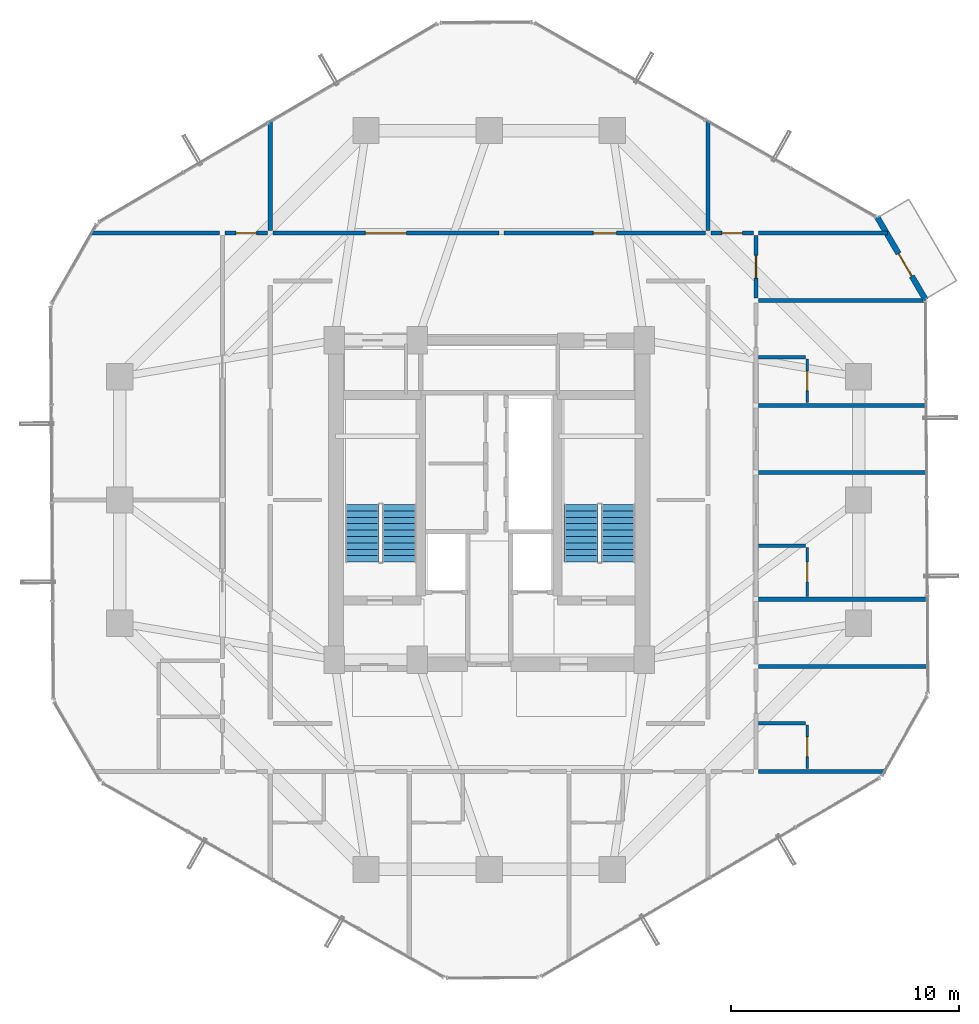
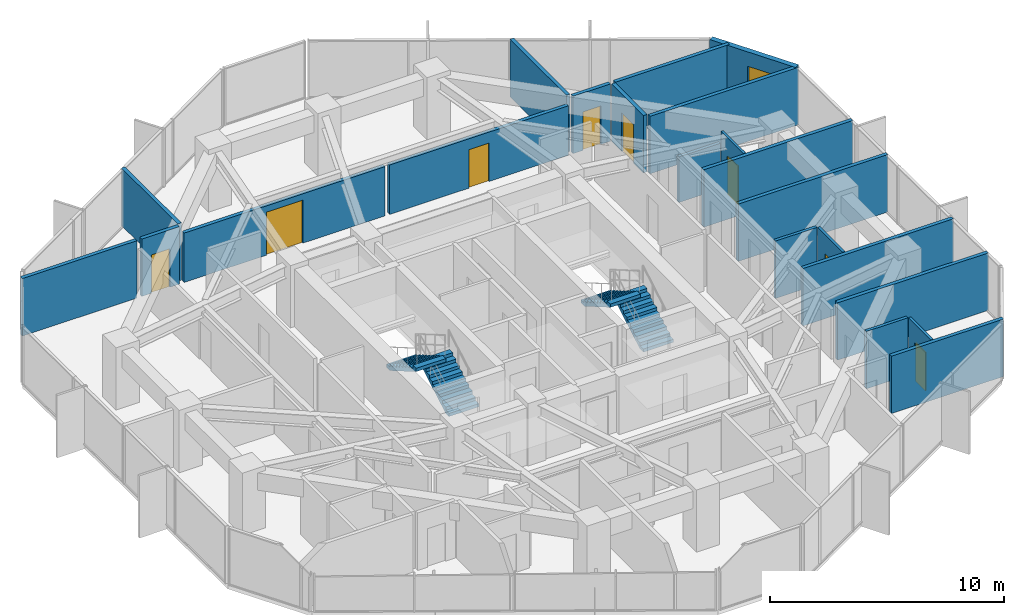
# One storey, part 28 of 30: 22 walls, 9 doors, 4 stair flights, 9 openings, 2 elements without a shape of their own.
"""IFC4 building model written with IfcOpenShell, lengths in metres."""

from ifc_helpers import new_model, si_unit, direction, frame, frame_2d, origin, place, context, subcontext, project, spatial, polyline, rectangle, outline, extrude, source, transform, mapped, material, layer, layer_set, type_object, element, fill, aggregate, save


model = new_model("IFC4")

# Units and contexts
model_context = context("Model", 3, precision=1e-05, world=origin(), true_north=direction((0.0, 1.0)))
body_context = subcontext(model_context, "Body", "Model", "MODEL_VIEW")
ifc_project = project(units=[si_unit("LENGTHUNIT", "METRE"), si_unit("AREAUNIT", "SQUARE_METRE"), si_unit("VOLUMEUNIT", "CUBIC_METRE"), si_unit("PLANEANGLEUNIT", "RADIAN"), si_unit("MASSUNIT", "GRAM", prefix="KILO")], contexts=[model_context])

# Site, building, storey
site_placement = place(None, origin())
site = spatial("IfcSite", under=ifc_project, at=site_placement, CompositionType="ELEMENT")
building_placement = place(site_placement, origin())
building = spatial("IfcBuilding", under=site, at=building_placement, Name="Veraguas Prism Commons", CompositionType="ELEMENT")
storey_placement = place(building_placement, frame((0.0, 0.0, 129.5)))
storey = spatial("IfcBuildingStorey", under=building, at=storey_placement, Name="L36", CompositionType="ELEMENT", Elevation=129.5)

# Walls
ifc_material_1 = material(Name="Autoclaved aerated masonry block 10 MPa", Category="masonry")
ifc_layer_1 = layer(ifc_material_1, 0.179931640625, Name="Corridor and Inter-Tenancy Partition 180", Category="masonry")
ifc_layer_set_1 = layer_set([ifc_layer_1], Name="Autoclaved aerated masonry block 10 MPa")
wall_type_1 = type_object("IfcWallType", Name="Corridor and Inter-Tenancy Partition 180", PredefinedType="PARTITIONING", material=ifc_layer_set_1)
for number, where, z_axis, x_axis, name in (
    (1, (14.39990234375, 35.820068359375, 0.0), (0.0, 0.0, 1.0), (0.0, 1.0, 0.0), "WL-L36-PT014"),
    (2, (33.60009765625, 35.820068359375, 0.0), (0.0, 0.0, 1.0), (0.0, 1.0, 0.0), "WL-L36-PT015"),
):
    element("IfcWall", number, at=place(storey_placement, frame(where, z_axis=z_axis, x_axis=x_axis)), inside=storey, type_object=wall_type_1, Name=name, PredefinedType="PARTITIONING", context=body_context, shape_type="SweptSolid", body=[
        extrude(rectangle(XDim=4.822509765625, YDim=0.179931640625, at=frame_2d((2.4111328125, 0.0))), origin(), (0.0, 0.0, 1.0), 3.0),
    ])

# Wall, opening, door
wall_1_placement = place(storey_placement, frame((14.510009765625, 35.699951171875, 0.0), z_axis=(0.0, 0.0, 1.0), x_axis=(1.0, 0.0, 0.0)))
wall_1 = element("IfcWall", 3, at=wall_1_placement, inside=storey, type_object=wall_type_1, Name="WL-L36-PT016", PredefinedType="PARTITIONING", context=body_context, shape_type="SweptSolid", body=[
    extrude(rectangle(XDim=9.924072265625, YDim=0.179931640625, at=frame_2d((4.9619140625, 0.0))), origin(), (0.0, 0.0, 1.0), 2.580078125),
])
opening_1_placement = place(wall_1_placement, frame((4.06201171875, 0.0, 0.0)))
opening_1 = element("IfcOpeningElement", 4, at=opening_1_placement, cuts=wall_1, Name="Opening DR-07", PredefinedType="OPENING", context=body_context, shape_type="SweptSolid", body=[
    extrude(rectangle(XDim=1.800048828125, YDim=2.25, at=frame_2d((0.89990234375, 1.125))), frame((0.0, 0.099853515625, 0.0), z_axis=(0.0, -1.0, 0.0), x_axis=(1.0, 0.0, 0.0)), (0.0, 0.0, 1.0), 0.199951171875),
])
ifc_material_2 = material(Name="Steel fire-rated door assembly", Category="steel")
door_type_1 = type_object("IfcDoorType", Name="Corridor Double Fire Door 1800x2250", OperationType="NOTDEFINED", PredefinedType="DOOR", material=ifc_material_2)
shared_shape_1 = source(origin(), body_context, "Body", "SweptSolid", [
    extrude(rectangle(XDim=1.800048828125, YDim=2.25, at=frame_2d((0.89990234375, 1.125))), frame((0.0, 0.02490234375, 0.0), z_axis=(0.0, -1.0, 0.0), x_axis=(1.0, 0.0, 0.0)), (0.0, 0.0, 1.0), 0.050048828125),
])
door_1_placement = place(opening_1_placement, origin())
door_1 = element("IfcDoor", 5, at=door_1_placement, inside=storey, type_object=door_type_1, Name="Residents Co-op Library and Reading Hall Door 1", OperationType="SINGLE_SWING_LEFT", OverallHeight=2.25, OverallWidth=1.800048828125, PredefinedType="DOOR", context=body_context, shape_type="MappedRepresentation", body=[
    mapped(shared_shape_1, transform((0.0, 0.0, 0.0), scale=1.0)),
])
fill(opening_1, door_1)

wall_2_placement = place(storey_placement, frame((24.654052734375, 35.699951171875, 0.0), z_axis=(0.0, 0.0, 1.0), x_axis=(1.0, 0.0, 0.0)))
wall_2 = element("IfcWall", 6, at=wall_2_placement, inside=storey, type_object=wall_type_1, Name="WL-L36-PT017", PredefinedType="PARTITIONING", context=body_context, shape_type="SweptSolid", body=[
    extrude(rectangle(XDim=8.8359375, YDim=0.179931640625, at=frame_2d((4.41796875, 0.0))), origin(), (0.0, 0.0, 1.0), 2.580078125),
])
opening_2_placement = place(wall_2_placement, frame((3.91796875, 0.0, 0.0)))
opening_2 = element("IfcOpeningElement", 7, at=opening_2_placement, cuts=wall_2, Name="Opening DR-13", PredefinedType="OPENING", context=body_context, shape_type="SweptSolid", body=[
    extrude(rectangle(XDim=1.0, YDim=2.010009765625, at=frame_2d((0.5, 1.0048828125))), frame((0.0, 0.099853515625, 0.0), z_axis=(0.0, -1.0, 0.0), x_axis=(1.0, 0.0, 0.0)), (0.0, 0.0, 1.0), 0.199951171875),
])
door_type_2 = type_object("IfcDoorType", Name="Core Accessible WC and Clinic Fire Door 1000x2010", OperationType="NOTDEFINED", PredefinedType="DOOR", material=ifc_material_2)
shared_shape_2 = source(origin(), body_context, "Body", "SweptSolid", [
    extrude(rectangle(XDim=1.0, YDim=2.010009765625, at=frame_2d((0.5, 1.0048828125))), frame((0.0, 0.02490234375, 0.0), z_axis=(0.0, -1.0, 0.0), x_axis=(1.0, 0.0, 0.0)), (0.0, 0.0, 1.0), 0.050048828125),
])
door_2_placement = place(opening_2_placement, origin())
door_2 = element("IfcDoor", 8, at=door_2_placement, inside=storey, type_object=door_type_2, Name="Residents Co-op Library and Reading Hall Door 2", OperationType="SINGLE_SWING_RIGHT", OverallHeight=2.010009765625, OverallWidth=1.0, PredefinedType="DOOR", context=body_context, shape_type="MappedRepresentation", body=[
    mapped(shared_shape_2, transform((0.0, 0.0, 0.0), scale=1.0)),
])
fill(opening_2, door_2)

# Walls
wall_3_placement = place(storey_placement, frame((12.179931640625, 35.699951171875, 0.0), z_axis=(0.0, 0.0, 1.0), x_axis=(-1.0, 0.0, 0.0)))
element("IfcWall", 9, at=wall_3_placement, inside=storey, type_object=wall_type_1, Name="WL-L36-PT019", PredefinedType="PARTITIONING", context=body_context, shape_type="SweptSolid", body=[
    extrude(rectangle(XDim=5.6630859375, YDim=0.179931640625, at=frame_2d((2.83154296875, 0.0))), origin(), (0.0, 0.0, 1.0), 3.0),
])
wall_4_placement = place(storey_placement, frame((35.820068359375, 12.10009765625, 0.0), z_axis=(0.0, 0.0, 1.0), x_axis=(1.0, 0.0, 0.0)))
element("IfcWall", 10, at=wall_4_placement, inside=storey, type_object=wall_type_1, Name="WL-L36-PT029", PredefinedType="PARTITIONING", context=body_context, shape_type="SweptSolid", body=[
    extrude(rectangle(XDim=5.54931640625, YDim=0.179931640625, at=frame_2d((2.774658203125, 0.0))), origin(), (0.0, 0.0, 1.0), 3.0),
])
wall_5_placement = place(storey_placement, frame((35.820068359375, 35.699951171875, 0.0), z_axis=(0.0, 0.0, 1.0), x_axis=(1.0, 0.0, 0.0)))
element("IfcWall", 11, at=wall_5_placement, inside=storey, type_object=wall_type_1, Name="WL-L36-PT030", PredefinedType="PARTITIONING", context=body_context, shape_type="SweptSolid", body=[
    extrude(rectangle(XDim=5.6416015625, YDim=0.179931640625, at=frame_2d((2.82080078125, 0.0))), origin(), (0.0, 0.0, 1.0), 3.0),
])
wall_6_placement = place(storey_placement, frame((35.820068359375, 16.697998046875, 0.0), z_axis=(0.0, 0.0, 1.0), x_axis=(1.0, 0.0, 0.0)))
element("IfcWall", 12, at=wall_6_placement, inside=storey, type_object=wall_type_1, Name="WL-L36-PT032", PredefinedType="PARTITIONING", context=body_context, shape_type="SweptSolid", body=[
    extrude(rectangle(XDim=7.441162109375, YDim=0.179931640625, at=frame_2d((3.720703125, 0.0))), origin(), (0.0, 0.0, 1.0), 3.0),
])
wall_7_placement = place(storey_placement, frame((35.820068359375, 19.64794921875, 0.0), z_axis=(0.0, 0.0, 1.0), x_axis=(1.0, 0.0, 0.0)))
element("IfcWall", 13, at=wall_7_placement, inside=storey, type_object=wall_type_1, Name="WL-L36-PT036", PredefinedType="PARTITIONING", context=body_context, shape_type="SweptSolid", body=[
    extrude(rectangle(XDim=7.421630859375, YDim=0.179931640625, at=frame_2d((3.7109375, 0.0))), origin(), (0.0, 0.0, 1.0), 3.0),
])
wall_8_placement = place(storey_placement, frame((35.820068359375, 25.201904296875, 0.0), z_axis=(0.0, 0.0, 1.0), x_axis=(1.0, 0.0, 0.0)))
element("IfcWall", 14, at=wall_8_placement, inside=storey, type_object=wall_type_1, Name="WL-L36-PT038", PredefinedType="PARTITIONING", context=body_context, shape_type="SweptSolid", body=[
    extrude(rectangle(XDim=7.384765625, YDim=0.179931640625, at=frame_2d((3.6923828125, 0.0))), origin(), (0.0, 0.0, 1.0), 3.0),
])
wall_9_placement = place(storey_placement, frame((35.820068359375, 28.152099609375, 0.0), z_axis=(0.0, 0.0, 1.0), x_axis=(1.0, 0.0, 0.0)))
element("IfcWall", 15, at=wall_9_placement, inside=storey, type_object=wall_type_1, Name="WL-L36-PT042", PredefinedType="PARTITIONING", context=body_context, shape_type="SweptSolid", body=[
    extrude(rectangle(XDim=7.365234375, YDim=0.179931640625, at=frame_2d((3.6826171875, 0.0))), origin(), (0.0, 0.0, 1.0), 3.0),
])

# Wall, opening, door
wall_10_placement = place(storey_placement, frame((35.699951171875, 32.860107421875, 0.0), z_axis=(0.0, 0.0, 1.0), x_axis=(0.0, 1.0, 0.0)))
wall_10 = element("IfcWall", 16, at=wall_10_placement, inside=storey, type_object=wall_type_1, Name="WL-L36-PT043", PredefinedType="PARTITIONING", context=body_context, shape_type="SweptSolid", body=[
    extrude(rectangle(XDim=2.72998046875, YDim=0.179931640625, at=frame_2d((1.364990234375, 0.0))), origin(), (0.0, 0.0, 1.0), 3.0),
])
opening_3_placement = place(wall_10_placement, frame((0.864990234375, 0.0, 0.0)))
opening_3 = element("IfcOpeningElement", 17, at=opening_3_placement, cuts=wall_10, Name="Opening DR-13", PredefinedType="OPENING", context=body_context, shape_type="SweptSolid", body=[
    extrude(rectangle(XDim=1.0, YDim=2.010009765625, at=frame_2d((0.5, 1.0048828125))), frame((0.0, 0.099853515625, 0.0), z_axis=(0.0, -1.0, 0.0), x_axis=(1.0, 0.0, 0.0)), (0.0, 0.0, 1.0), 0.199951171875),
])
door_3_placement = place(opening_3_placement, origin())
door_3 = element("IfcDoor", 18, at=door_3_placement, inside=storey, type_object=door_type_2, Name="Quiet Study E Door", OperationType="SINGLE_SWING_LEFT", OverallHeight=2.010009765625, OverallWidth=1.0, PredefinedType="DOOR", context=body_context, shape_type="MappedRepresentation", body=[
    mapped(shared_shape_2, transform((0.0, 0.0, 0.0), scale=1.0)),
])
fill(opening_3, door_3)

# Wall
wall_11_placement = place(storey_placement, frame((35.820068359375, 32.75, 0.0), z_axis=(0.0, 0.0, 1.0), x_axis=(1.0, 0.0, 0.0)))
element("IfcWall", 19, at=wall_11_placement, inside=storey, type_object=wall_type_1, Name="WL-L36-PT044", PredefinedType="PARTITIONING", context=body_context, shape_type="SweptSolid", body=[
    extrude(rectangle(XDim=7.334716796875, YDim=0.179931640625, at=frame_2d((3.66748046875, 0.0))), origin(), (0.0, 0.0, 1.0), 3.0),
])

# Wall, opening, door
wall_12_placement = place(storey_placement, frame((12.419921875, 35.699951171875, 0.0), z_axis=(0.0, 0.0, 1.0), x_axis=(1.0, 0.0, 0.0)))
wall_12 = element("IfcWall", 20, at=wall_12_placement, inside=storey, type_object=wall_type_1, Name="WL-L36-PT050", PredefinedType="PARTITIONING", context=body_context, shape_type="SweptSolid", body=[
    extrude(rectangle(XDim=1.860107421875, YDim=0.179931640625, at=frame_2d((0.93017578125, 0.0))), origin(), (0.0, 0.0, 1.0), 3.0),
])
opening_4_placement = place(wall_12_placement, frame((0.47998046875, 0.0, 0.0)))
opening_4 = element("IfcOpeningElement", 21, at=opening_4_placement, cuts=wall_12, Name="Opening DR-14", PredefinedType="OPENING", context=body_context, shape_type="SweptSolid", body=[
    extrude(rectangle(XDim=0.89990234375, YDim=2.010009765625, at=frame_2d((0.449951171875, 1.0048828125))), frame((0.0, 0.099853515625, 0.0), z_axis=(0.0, -1.0, 0.0), x_axis=(1.0, 0.0, 0.0)), (0.0, 0.0, 1.0), 0.199951171875),
])
door_type_3 = type_object("IfcDoorType", Name="Core Service Room Fire Door 900x2010", OperationType="NOTDEFINED", PredefinedType="DOOR", material=ifc_material_2)
shared_shape_3 = source(origin(), body_context, "Body", "SweptSolid", [
    extrude(rectangle(XDim=0.89990234375, YDim=2.010009765625, at=frame_2d((0.449951171875, 1.0048828125))), frame((0.0, 0.02490234375, 0.0), z_axis=(0.0, -1.0, 0.0), x_axis=(1.0, 0.0, 0.0)), (0.0, 0.0, 1.0), 0.050048828125),
])
door_4_placement = place(opening_4_placement, origin())
door_4 = element("IfcDoor", 22, at=door_4_placement, inside=storey, type_object=door_type_3, Name="Residents Cycle and Pram Store NW Door", OperationType="SINGLE_SWING_RIGHT", OverallHeight=2.010009765625, OverallWidth=0.89990234375, PredefinedType="DOOR", context=body_context, shape_type="MappedRepresentation", body=[
    mapped(shared_shape_3, transform((0.0, 0.0, 0.0), scale=1.0)),
])
fill(opening_4, door_4)

wall_13_placement = place(storey_placement, frame((33.719970703125, 35.699951171875, 0.0), z_axis=(0.0, 0.0, 1.0), x_axis=(1.0, 0.0, 0.0)))
wall_13 = element("IfcWall", 23, at=wall_13_placement, inside=storey, type_object=wall_type_1, Name="WL-L36-PT051", PredefinedType="PARTITIONING", context=body_context, shape_type="SweptSolid", body=[
    extrude(rectangle(XDim=1.860107421875, YDim=0.179931640625, at=frame_2d((0.93017578125, 0.0))), origin(), (0.0, 0.0, 1.0), 3.0),
])
opening_5_placement = place(wall_13_placement, frame((0.47998046875, 0.0, 0.0)))
opening_5 = element("IfcOpeningElement", 24, at=opening_5_placement, cuts=wall_13, Name="Opening DR-14", PredefinedType="OPENING", context=body_context, shape_type="SweptSolid", body=[
    extrude(rectangle(XDim=0.89990234375, YDim=2.010009765625, at=frame_2d((0.449951171875, 1.0048828125))), frame((0.0, 0.099853515625, 0.0), z_axis=(0.0, -1.0, 0.0), x_axis=(1.0, 0.0, 0.0)), (0.0, 0.0, 1.0), 0.199951171875),
])
door_5_placement = place(opening_5_placement, origin())
door_5 = element("IfcDoor", 25, at=door_5_placement, inside=storey, type_object=door_type_3, Name="Residents Corner Study Room NE Door", OperationType="SINGLE_SWING_LEFT", OverallHeight=2.010009765625, OverallWidth=0.89990234375, PredefinedType="DOOR", context=body_context, shape_type="MappedRepresentation", body=[
    mapped(shared_shape_3, transform((0.0, 0.0, 0.0), scale=1.0)),
])
fill(opening_5, door_5)

ifc_material_3 = material(Name="Precast concrete C40/50", Category="concrete")
ifc_layer_2 = layer(ifc_material_3, 0.25, Name="External Loggia and Portal Wall 250", Category="concrete")
ifc_layer_set_2 = layer_set([ifc_layer_2], Name="Precast concrete C40/50")
wall_type_2 = type_object("IfcWallType", Name="External Loggia and Portal Wall 250", PredefinedType="SOLIDWALL", material=ifc_layer_set_2)
wall_14_placement = place(storey_placement, frame((43.144775390625, 32.769775390625, 0.0), z_axis=(0.0, 0.0, 1.0), x_axis=(-0.505741701413, 0.862684954924, 0.0)))
wall_14 = element("IfcWall", 26, at=wall_14_placement, inside=storey, type_object=wall_type_2, Name="Corner Loggia Wall L36-C1", PredefinedType="SOLIDWALL", context=body_context, shape_type="SweptSolid", body=[
    extrude(rectangle(XDim=4.233154296875, YDim=0.25, at=frame_2d((2.11669921875, 0.0))), origin(), (0.0, 0.0, 1.0), 3.0),
])
opening_6_placement = place(wall_14_placement, frame((1.2099609375, 0.0, 0.0)))
opening_6 = element("IfcOpeningElement", 27, at=opening_6_placement, cuts=wall_14, Name="Opening DR-10", PredefinedType="OPENING", context=body_context, shape_type="SweptSolid", body=[
    extrude(rectangle(XDim=1.14990234375, YDim=2.25, at=frame_2d((0.574951171875, 1.125))), frame((0.0, 0.135009765625, 0.0), z_axis=(0.0, -1.0, 0.0), x_axis=(1.0, 0.0, 0.0)), (0.0, 0.0, 1.0), 0.27001953125),
])
ifc_material_4 = material(Name="Anodised aluminium EN AW-6063 T6", Category="aluminium")
door_type_4 = type_object("IfcDoorType", Name="Glazed Loggia and Terrace Door 1150x2250", OperationType="NOTDEFINED", PredefinedType="DOOR", material=ifc_material_4)
shared_shape_4 = source(origin(), body_context, "Body", "SweptSolid", [
    extrude(rectangle(XDim=1.14990234375, YDim=2.25, at=frame_2d((0.574951171875, 1.125))), frame((0.0, 0.02490234375, 0.0), z_axis=(0.0, -1.0, 0.0), x_axis=(1.0, 0.0, 0.0)), (0.0, 0.0, 1.0), 0.050048828125),
])
door_6_placement = place(opening_6_placement, frame((1.14990234375, 0.0, 0.0), z_axis=(0.0, 0.0, 1.0), x_axis=(-1.0, 0.0, 0.0)))
door_6 = element("IfcDoor", 28, at=door_6_placement, inside=storey, type_object=door_type_4, Name="Recessed Loggia Door L36-C1", OperationType="SINGLE_SWING_RIGHT", OverallHeight=2.25, OverallWidth=1.14990234375, PredefinedType="DOOR", context=body_context, shape_type="MappedRepresentation", body=[
    mapped(shared_shape_4, transform((0.0, 0.0, 0.0), scale=1.0)),
])
fill(opening_6, door_6)

ifc_material_5 = material(Name="Lightweight acoustic gypsum board")
ifc_layer_3 = layer(ifc_material_5, 0.125, Name="Internal Apartment Room Partition 125")
ifc_layer_set_3 = layer_set([ifc_layer_3], Name="Lightweight acoustic gypsum board")
wall_type_3 = type_object("IfcWallType", Name="Internal Apartment Room Partition 125", PredefinedType="PARTITIONING", material=ifc_layer_set_3)
wall_15_placement = place(storey_placement, frame((37.949951171875, 12.219970703125, 0.0), z_axis=(0.0, 0.0, 1.0), x_axis=(0.0, 1.0, 0.0)))
wall_15 = element("IfcWall", 29, at=wall_15_placement, inside=storey, type_object=wall_type_3, Name="WL-L36-PT035", PredefinedType="PARTITIONING", context=body_context, shape_type="SweptSolid", body=[
    extrude(rectangle(XDim=1.9150390625, YDim=0.125, at=frame_2d((0.95751953125, 0.0))), origin(), (0.0, 0.0, 1.0), 3.0),
])
opening_7_placement = place(wall_15_placement, frame((0.527587890625, 0.0, 0.0)))
opening_7 = element("IfcOpeningElement", 30, at=opening_7_placement, cuts=wall_15, Name="Opening DR-03", PredefinedType="OPENING", context=body_context, shape_type="SweptSolid", body=[
    extrude(rectangle(XDim=0.860107421875, YDim=2.010009765625, at=frame_2d((0.43017578125, 1.0048828125))), frame((0.0, 0.072509765625, 0.0), z_axis=(0.0, -1.0, 0.0), x_axis=(1.0, 0.0, 0.0)), (0.0, 0.0, 1.0), 0.14501953125),
])
ifc_material_6 = material(Name="Timber moisture-resistant leaf", Category="wood")
door_type_5 = type_object("IfcDoorType", Name="Internal Bathroom Door 860x2010", OperationType="NOTDEFINED", PredefinedType="DOOR", material=ifc_material_6)
shared_shape_5 = source(origin(), body_context, "Body", "SweptSolid", [
    extrude(rectangle(XDim=0.860107421875, YDim=2.010009765625, at=frame_2d((0.43017578125, 1.0048828125))), frame((0.0, 0.02490234375, 0.0), z_axis=(0.0, -1.0, 0.0), x_axis=(1.0, 0.0, 0.0)), (0.0, 0.0, 1.0), 0.050048828125),
])
door_7_placement = place(opening_7_placement, origin())
door_7 = element("IfcDoor", 31, at=door_7_placement, inside=storey, type_object=door_type_5, Name="Studio 36D Bathroom Door", OperationType="SINGLE_SWING_LEFT", OverallHeight=2.010009765625, OverallWidth=0.860107421875, PredefinedType="DOOR", context=body_context, shape_type="MappedRepresentation", body=[
    mapped(shared_shape_5, transform((0.0, 0.0, 0.0), scale=1.0)),
])
fill(opening_7, door_7)

wall_16_placement = place(storey_placement, frame((37.949951171875, 19.76806640625, 0.0), z_axis=(0.0, 0.0, 1.0), x_axis=(0.0, 1.0, 0.0)))
wall_16 = element("IfcWall", 32, at=wall_16_placement, inside=storey, type_object=wall_type_3, Name="WL-L36-PT041", PredefinedType="PARTITIONING", context=body_context, shape_type="SweptSolid", body=[
    extrude(rectangle(XDim=2.14990234375, YDim=0.125, at=frame_2d((1.074951171875, 0.0))), origin(), (0.0, 0.0, 1.0), 3.0),
])
opening_8_placement = place(wall_16_placement, frame((0.64501953125, 0.0, 0.0)))
opening_8 = element("IfcOpeningElement", 33, at=opening_8_placement, cuts=wall_16, Name="Opening DR-03", PredefinedType="OPENING", context=body_context, shape_type="SweptSolid", body=[
    extrude(rectangle(XDim=0.860107421875, YDim=2.010009765625, at=frame_2d((0.43017578125, 1.0048828125))), frame((0.0, 0.072509765625, 0.0), z_axis=(0.0, -1.0, 0.0), x_axis=(1.0, 0.0, 0.0)), (0.0, 0.0, 1.0), 0.14501953125),
])
door_8_placement = place(opening_8_placement, origin())
door_8 = element("IfcDoor", 34, at=door_8_placement, inside=storey, type_object=door_type_5, Name="Studio 36E Bathroom Door", OperationType="SINGLE_SWING_RIGHT", OverallHeight=2.010009765625, OverallWidth=0.860107421875, PredefinedType="DOOR", context=body_context, shape_type="MappedRepresentation", body=[
    mapped(shared_shape_5, transform((0.0, 0.0, 0.0), scale=1.0)),
])
fill(opening_8, door_8)

wall_17_placement = place(storey_placement, frame((37.949951171875, 28.27197265625, 0.0), z_axis=(0.0, 0.0, 1.0), x_axis=(0.0, 1.0, 0.0)))
wall_17 = element("IfcWall", 35, at=wall_17_placement, inside=storey, type_object=wall_type_3, Name="WL-L36-PT047", PredefinedType="PARTITIONING", context=body_context, shape_type="SweptSolid", body=[
    extrude(rectangle(XDim=1.9150390625, YDim=0.125, at=frame_2d((0.95751953125, 0.0))), origin(), (0.0, 0.0, 1.0), 3.0),
])
opening_9_placement = place(wall_17_placement, frame((0.527587890625, 0.0, 0.0)))
opening_9 = element("IfcOpeningElement", 36, at=opening_9_placement, cuts=wall_17, Name="Opening DR-03", PredefinedType="OPENING", context=body_context, shape_type="SweptSolid", body=[
    extrude(rectangle(XDim=0.860107421875, YDim=2.010009765625, at=frame_2d((0.43017578125, 1.0048828125))), frame((0.0, 0.072509765625, 0.0), z_axis=(0.0, -1.0, 0.0), x_axis=(1.0, 0.0, 0.0)), (0.0, 0.0, 1.0), 0.14501953125),
])
door_9_placement = place(opening_9_placement, origin())
door_9 = element("IfcDoor", 37, at=door_9_placement, inside=storey, type_object=door_type_5, Name="Studio 36F Bathroom Door", OperationType="SINGLE_SWING_LEFT", OverallHeight=2.010009765625, OverallWidth=0.860107421875, PredefinedType="DOOR", context=body_context, shape_type="MappedRepresentation", body=[
    mapped(shared_shape_5, transform((0.0, 0.0, 0.0), scale=1.0)),
])
fill(opening_9, door_9)

# Walls
ifc_layer_4 = layer(ifc_material_5, 0.14990234375, Name="Wet Room and Clinic Acoustic Partition 150")
ifc_layer_set_4 = layer_set([ifc_layer_4], Name="Lightweight acoustic gypsum board")
wall_type_4 = type_object("IfcWallType", Name="Wet Room and Clinic Acoustic Partition 150", PredefinedType="PARTITIONING", material=ifc_layer_set_4)
for number, where, z_axis, x_axis, name in (
    (38, (35.820068359375, 14.215087890625, 0.0), (0.0, 0.0, 1.0), (1.0, 0.0, 0.0), "WL-L36-PT034"),
    (39, (35.820068359375, 21.998046875, 0.0), (0.0, 0.0, 1.0), (1.0, 0.0, 0.0), "WL-L36-PT040"),
):
    element("IfcWall", number, at=place(storey_placement, frame(where, z_axis=z_axis, x_axis=x_axis)), inside=storey, type_object=wall_type_4, Name=name, PredefinedType="PARTITIONING", context=body_context, shape_type="SweptSolid", body=[
        extrude(rectangle(XDim=2.050048828125, YDim=0.14990234375, at=frame_2d((1.02490234375, 0.0))), origin(), (0.0, 0.0, 1.0), 3.0),
    ])
wall_18_placement = place(storey_placement, frame((35.820068359375, 30.26708984375, 0.0), z_axis=(0.0, 0.0, 1.0), x_axis=(1.0, 0.0, 0.0)))
element("IfcWall", 40, at=wall_18_placement, inside=storey, type_object=wall_type_4, Name="WL-L36-PT046", PredefinedType="PARTITIONING", context=body_context, shape_type="SweptSolid", body=[
    extrude(rectangle(XDim=2.050048828125, YDim=0.14990234375, at=frame_2d((1.02490234375, 0.0))), origin(), (0.0, 0.0, 1.0), 2.3779296875),
])

# Stair, stair flights
ifc_material_7 = material(Name="Precast concrete C45/55", Category="concrete")
stair_type = type_object("IfcStairType", Name="Dogleg Core Stair 1480W 20R 05", PredefinedType="HALF_TURN_STAIR", material=ifc_material_7)
stair_1_placement = place(storey_placement, origin())
stair_1 = element("IfcStair", 41, at=stair_1_placement, inside=storey, type_object=stair_type, Name="Protected Exit Stair ST-01 L36", PredefinedType="HALF_TURN_STAIR")
stair_flight_type = type_object("IfcStairFlightType", Name="Precast Stair Flight 1480W 10R 05", PredefinedType="STRAIGHT", material=ifc_material_7)
stair_flight_1_placement = place(storey_placement, frame((20.06005859375, 21.280029296875, 0.0), z_axis=(0.0, 0.0, 1.0), x_axis=(0.0, 1.0, 0.0)))
stair_flight_1 = element("IfcStairFlight", 42, at=stair_flight_1_placement, type_object=stair_flight_type, Name="ST-05 Flight 1", NumberOfRisers=10, NumberOfTreads=9, PredefinedType="STRAIGHT", RiserHeight=0.1625, TreadLength=0.28, context=body_context, shape_type="SweptSolid", body=[
    extrude(outline(polyline([(0.0, 0.0), (0.0, 0.16259765625), (0.280029296875, 0.16259765625), (0.280029296875, 0.324951171875), (0.56005859375, 0.324951171875), (0.56005859375, 0.487548828125), (0.840087890625, 0.487548828125), (0.840087890625, 0.64990234375), (1.1201171875, 0.64990234375), (1.1201171875, 0.8125), (1.39990234375, 0.8125), (1.39990234375, 0.97509765625), (1.679931640625, 0.97509765625), (1.679931640625, 1.137451171875), (1.9599609375, 1.137451171875), (1.9599609375, 1.300048828125), (2.239990234375, 1.300048828125), (2.239990234375, 1.46240234375), (2.52001953125, 1.46240234375), (2.52001953125, 1.625), (2.52001953125, 1.2890625), (0.298583984375, 0.0), (0.0, 0.0)])), frame((0.0, 0.739990234375, 0.0), z_axis=(0.0, -1.0, 0.0), x_axis=(1.0, 0.0, 0.0)), (0.0, 0.0, 1.0), 1.47998046875),
])
stair_flight_2_placement = place(storey_placement, frame((18.429931640625, 23.800048828125, 1.625), z_axis=(0.0, 0.0, 1.0), x_axis=(0.0, -1.0, 0.0)))
stair_flight_2 = element("IfcStairFlight", 43, at=stair_flight_2_placement, type_object=stair_flight_type, Name="ST-05 Flight 2", NumberOfRisers=10, NumberOfTreads=9, PredefinedType="STRAIGHT", RiserHeight=0.1625, TreadLength=0.28, context=body_context, shape_type="SweptSolid", body=[
    extrude(outline(polyline([(0.0, 0.0), (0.0, 0.16259765625), (0.280029296875, 0.16259765625), (0.280029296875, 0.324951171875), (0.56005859375, 0.324951171875), (0.56005859375, 0.487548828125), (0.840087890625, 0.487548828125), (0.840087890625, 0.64990234375), (1.1201171875, 0.64990234375), (1.1201171875, 0.8125), (1.39990234375, 0.8125), (1.39990234375, 0.97509765625), (1.679931640625, 0.97509765625), (1.679931640625, 1.137451171875), (1.9599609375, 1.137451171875), (1.9599609375, 1.300048828125), (2.239990234375, 1.300048828125), (2.239990234375, 1.46240234375), (2.52001953125, 1.46240234375), (2.52001953125, 1.625), (2.52001953125, 1.2890625), (0.298583984375, 0.0), (0.0, 0.0)])), frame((0.0, 0.739990234375, 0.0), z_axis=(0.0, -1.0, 0.0), x_axis=(1.0, 0.0, 0.0)), (0.0, 0.0, 1.0), 1.47998046875),
])
aggregate(stair_1, [stair_flight_1, stair_flight_2])

stair_2_placement = place(storey_placement, origin())
stair_2 = element("IfcStair", 44, at=stair_2_placement, inside=storey, type_object=stair_type, Name="Protected Exit Stair ST-02 L36", PredefinedType="HALF_TURN_STAIR")
stair_flight_3_placement = place(storey_placement, frame((29.659912109375, 21.280029296875, 0.0), z_axis=(0.0, 0.0, 1.0), x_axis=(0.0, 1.0, 0.0)))
stair_flight_3 = element("IfcStairFlight", 45, at=stair_flight_3_placement, type_object=stair_flight_type, Name="ST-05 Flight 1", NumberOfRisers=10, NumberOfTreads=9, PredefinedType="STRAIGHT", RiserHeight=0.1625, TreadLength=0.28, context=body_context, shape_type="SweptSolid", body=[
    extrude(outline(polyline([(0.0, 0.0), (0.0, 0.16259765625), (0.280029296875, 0.16259765625), (0.280029296875, 0.324951171875), (0.56005859375, 0.324951171875), (0.56005859375, 0.487548828125), (0.840087890625, 0.487548828125), (0.840087890625, 0.64990234375), (1.1201171875, 0.64990234375), (1.1201171875, 0.8125), (1.39990234375, 0.8125), (1.39990234375, 0.97509765625), (1.679931640625, 0.97509765625), (1.679931640625, 1.137451171875), (1.9599609375, 1.137451171875), (1.9599609375, 1.300048828125), (2.239990234375, 1.300048828125), (2.239990234375, 1.46240234375), (2.52001953125, 1.46240234375), (2.52001953125, 1.625), (2.52001953125, 1.2890625), (0.298583984375, 0.0), (0.0, 0.0)])), frame((0.0, 0.739990234375, 0.0), z_axis=(0.0, -1.0, 0.0), x_axis=(1.0, 0.0, 0.0)), (0.0, 0.0, 1.0), 1.47998046875),
])
stair_flight_4_placement = place(storey_placement, frame((28.030029296875, 23.800048828125, 1.625), z_axis=(0.0, 0.0, 1.0), x_axis=(0.0, -1.0, 0.0)))
stair_flight_4 = element("IfcStairFlight", 46, at=stair_flight_4_placement, type_object=stair_flight_type, Name="ST-05 Flight 2", NumberOfRisers=10, NumberOfTreads=9, PredefinedType="STRAIGHT", RiserHeight=0.1625, TreadLength=0.28, context=body_context, shape_type="SweptSolid", body=[
    extrude(outline(polyline([(0.0, 0.0), (0.0, 0.16259765625), (0.280029296875, 0.16259765625), (0.280029296875, 0.324951171875), (0.56005859375, 0.324951171875), (0.56005859375, 0.487548828125), (0.840087890625, 0.487548828125), (0.840087890625, 0.64990234375), (1.1201171875, 0.64990234375), (1.1201171875, 0.8125), (1.39990234375, 0.8125), (1.39990234375, 0.97509765625), (1.679931640625, 0.97509765625), (1.679931640625, 1.137451171875), (1.9599609375, 1.137451171875), (1.9599609375, 1.300048828125), (2.239990234375, 1.300048828125), (2.239990234375, 1.46240234375), (2.52001953125, 1.46240234375), (2.52001953125, 1.625), (2.52001953125, 1.2890625), (0.298583984375, 0.0), (0.0, 0.0)])), frame((0.0, 0.739990234375, 0.0), z_axis=(0.0, -1.0, 0.0), x_axis=(1.0, 0.0, 0.0)), (0.0, 0.0, 1.0), 1.47998046875),
])
aggregate(stair_2, [stair_flight_3, stair_flight_4])

save(model, "model.ifc")
